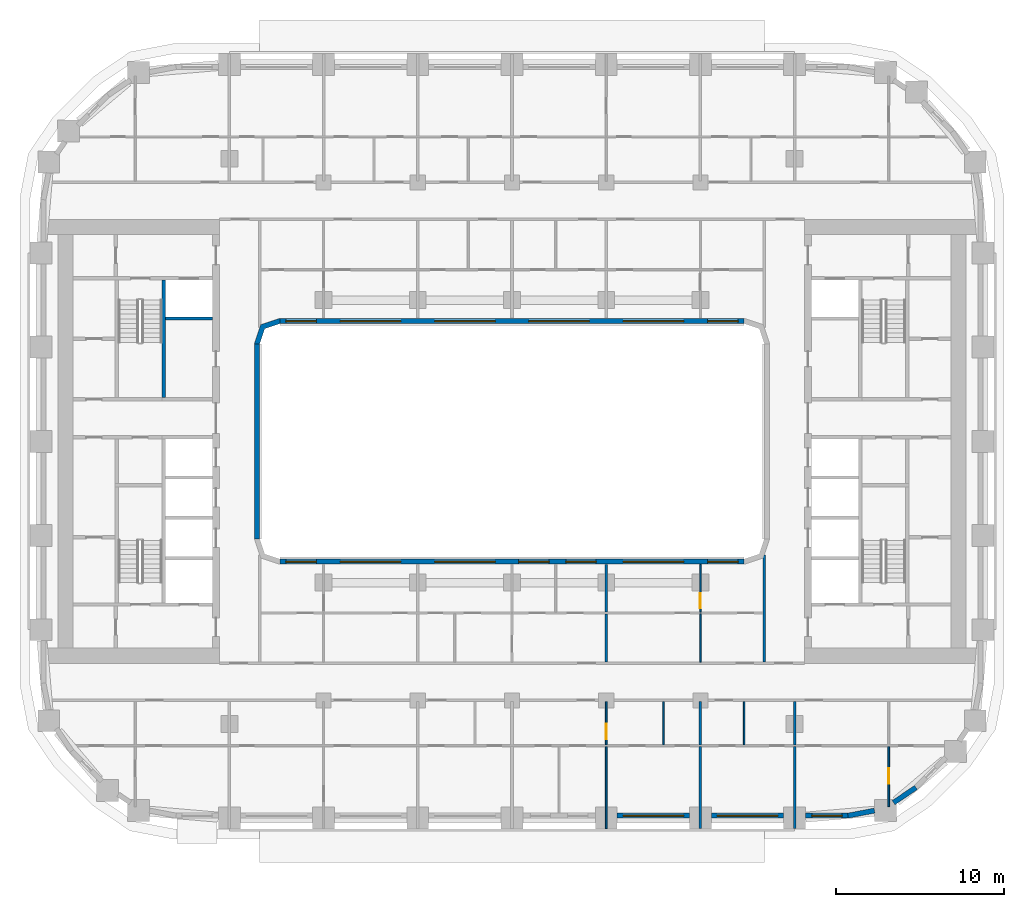
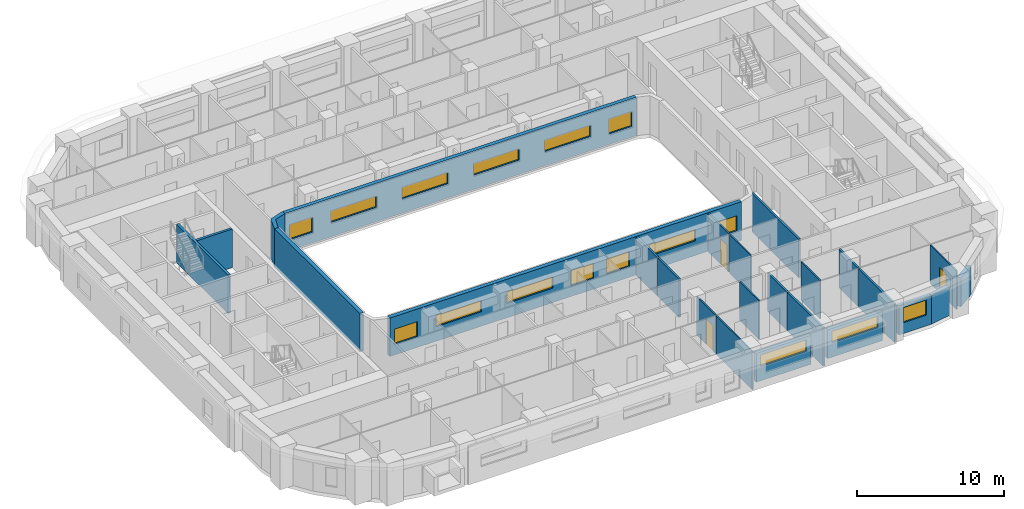
# One storey, part 5 of 21: 25 walls, 16 windows, 3 doors, 19 openings.
"""IFC4 building model written with IfcOpenShell, lengths in metres."""

from ifc_helpers import new_model, si_unit, direction, frame, frame_2d, origin, place, context, subcontext, project, spatial, polyline, rectangle, outline, extrude, material, layer, layer_set, type_object, element, fill, save


model = new_model("IFC4")

# Units and contexts
model_context = context("Model", 3, precision=1e-05, world=origin(), true_north=direction((0.0, 1.0)))
body_context = subcontext(model_context, "Body", "Model", "MODEL_VIEW")
ifc_project = project(units=[si_unit("LENGTHUNIT", "METRE"), si_unit("AREAUNIT", "SQUARE_METRE"), si_unit("VOLUMEUNIT", "CUBIC_METRE"), si_unit("PLANEANGLEUNIT", "RADIAN"), si_unit("MASSUNIT", "GRAM", prefix="KILO")], contexts=[model_context])

# Site, building, storey
site_placement = place(None, origin())
site = spatial("IfcSite", under=ifc_project, at=site_placement, CompositionType="ELEMENT")
building_placement = place(site_placement, origin())
building = spatial("IfcBuilding", under=site, at=building_placement, Name="Kiln Ring Residences", CompositionType="ELEMENT")
storey_placement = place(building_placement, frame((0.0, 0.0, 93.800048828125)))
storey = spatial("IfcBuildingStorey", under=building, at=storey_placement, Name="L23", CompositionType="ELEMENT", Elevation=93.800048828125)

# Walls
ifc_material_1 = material(Name="Gypsum shaft wall system")
ifc_layer_1 = layer(ifc_material_1, 0.199951171875)
ifc_layer_set_1 = layer_set([ifc_layer_1], Name="CORE-SHAFT-WALL-200")
wall_type_1 = type_object("IfcWallType", Name="CORE-SHAFT-WALL-200", PredefinedType="PARTITIONING", material=ifc_layer_set_1)
wall_1_placement = place(storey_placement, frame((-17.800048828125, 7.300048828125, 0.0), z_axis=(0.0, 0.0, 1.0), x_axis=(-1.0, 0.0, 0.0)))
element("IfcWall", 1, at=wall_1_placement, inside=storey, type_object=wall_type_1, Name="Core partition west L23 12", PredefinedType="PARTITIONING", context=body_context, shape_type="SweptSolid", body=[
    extrude(rectangle(XDim=2.800048828125, YDim=0.199951171875, at=frame_2d((1.39990234375, 0.0))), origin(), (0.0, 0.0, 1.0), 3.199951171875),
])
ifc_material_2 = material(Name="Concrete C40/50", Category="concrete")
ifc_layer_2 = layer(ifc_material_2, 0.199951171875)
ifc_layer_set_2 = layer_set([ifc_layer_2], Name="CORE-WALL-RC200")
wall_type_2 = type_object("IfcWallType", Name="CORE-WALL-RC200", PredefinedType="SHEAR", material=ifc_layer_set_2)
wall_2_placement = place(storey_placement, frame((-20.699951171875, 2.60009765625, 0.0), z_axis=(0.0, 0.0, 1.0), x_axis=(0.0, 1.0, 0.0)))
element("IfcWall", 2, at=wall_2_placement, inside=storey, type_object=wall_type_2, Name="Core wall west L23 1", PredefinedType="SHEAR", context=body_context, shape_type="SweptSolid", body=[
    extrude(rectangle(XDim=7.0, YDim=0.199951171875, at=frame_2d((3.5, 0.0))), origin(), (0.0, 0.0, 1.0), 3.199951171875),
])

# Wall, opening, window
ifc_material_3 = material(Name="Brick masonry, dark clay brick", Category="masonry")
ifc_layer_3 = layer(ifc_material_3, 0.300048828125)
ifc_layer_set_3 = layer_set([ifc_layer_3], Name="EW-300 BRICK WALL")
wall_type_3 = type_object("IfcWallType", Name="EW-300 BRICK WALL", PredefinedType="SOLIDWALL", material=ifc_layer_set_3)
wall_3_placement = place(storey_placement, frame((6.25, -22.25, 0.0), z_axis=(0.0, 0.0, 1.0), x_axis=(1.0, 0.0, 0.0)))
wall_3 = element("IfcWall", 3, at=wall_3_placement, inside=storey, type_object=wall_type_3, Name="Facade wall L23 9", PredefinedType="SOLIDWALL", context=body_context, shape_type="SweptSolid", body=[
    extrude(rectangle(XDim=4.300048828125, YDim=0.300048828125, at=frame_2d((2.14990234375, 0.0))), origin(), (0.0, 0.0, 1.0), 2.39990234375),
])
opening_1_placement = place(wall_3_placement, frame((0.35009765625, 0.0, 1.199951171875)))
opening_1 = element("IfcOpeningElement", 4, at=opening_1_placement, cuts=wall_3, Name="Opening W4", PredefinedType="OPENING", context=body_context, shape_type="SweptSolid", body=[
    extrude(rectangle(XDim=3.60009765625, YDim=0.949951171875, at=frame_2d((1.800048828125, 0.47509765625))), frame((0.0, 0.159912109375, 0.0), z_axis=(0.0, -1.0, 0.0), x_axis=(1.0, 0.0, 0.0)), (0.0, 0.0, 1.0), 0.320068359375),
])
ifc_material_4 = material(Name="Aluminium frame with double glazing", Category="aluminium")
window_type_1 = type_object("IfcWindowType", Name="WINDOW 3600 x 950", PartitioningType="SINGLE_PANEL", PredefinedType="WINDOW", material=ifc_material_4)
window_1_placement = place(opening_1_placement, origin())
window_1 = element("IfcWindow", 5, at=window_1_placement, inside=storey, type_object=window_type_1, Name="Window L23 8", OverallHeight=0.949951171875, OverallWidth=3.60009765625, PartitioningType="SINGLE_PANEL", PredefinedType="WINDOW", context=body_context, shape_type="SweptSolid", body=[
    extrude(rectangle(XDim=3.60009765625, YDim=0.949951171875, at=frame_2d((1.800048828125, 0.47509765625))), frame((0.0, 0.030029296875, 0.0), z_axis=(0.0, -1.0, 0.0), x_axis=(1.0, 0.0, 0.0)), (0.0, 0.0, 1.0), 0.06005859375),
])
fill(opening_1, window_1)

wall_4_placement = place(storey_placement, frame((11.85009765625, -22.25, 0.0), z_axis=(0.0, 0.0, 1.0), x_axis=(1.0, 0.0, 0.0)))
wall_4 = element("IfcWall", 6, at=wall_4_placement, inside=storey, type_object=wall_type_3, Name="Facade wall L23 10", PredefinedType="SOLIDWALL", context=body_context, shape_type="SweptSolid", body=[
    extrude(rectangle(XDim=4.2998046875, YDim=0.300048828125, at=frame_2d((2.14990234375, 0.0))), origin(), (0.0, 0.0, 1.0), 2.39990234375),
])
opening_2_placement = place(wall_4_placement, frame((0.35009765625, 0.0, 1.199951171875)))
opening_2 = element("IfcOpeningElement", 7, at=opening_2_placement, cuts=wall_4, Name="Opening W4", PredefinedType="OPENING", context=body_context, shape_type="SweptSolid", body=[
    extrude(rectangle(XDim=3.60009765625, YDim=0.949951171875, at=frame_2d((1.800048828125, 0.47509765625))), frame((0.0, 0.159912109375, 0.0), z_axis=(0.0, -1.0, 0.0), x_axis=(1.0, 0.0, 0.0)), (0.0, 0.0, 1.0), 0.320068359375),
])
window_2_placement = place(opening_2_placement, origin())
window_2 = element("IfcWindow", 8, at=window_2_placement, inside=storey, type_object=window_type_1, Name="Window L23 9", OverallHeight=0.949951171875, OverallWidth=3.60009765625, PartitioningType="SINGLE_PANEL", PredefinedType="WINDOW", context=body_context, shape_type="SweptSolid", body=[
    extrude(rectangle(XDim=3.60009765625, YDim=0.949951171875, at=frame_2d((1.800048828125, 0.47509765625))), frame((0.0, 0.030029296875, 0.0), z_axis=(0.0, -1.0, 0.0), x_axis=(1.0, 0.0, 0.0)), (0.0, 0.0, 1.0), 0.06005859375),
])
fill(opening_2, window_2)

wall_5_placement = place(storey_placement, frame((17.449951171875, -22.25, 0.0), z_axis=(0.0, 0.0, 1.0), x_axis=(1.0, 0.0, 0.0)))
wall_5 = element("IfcWall", 9, at=wall_5_placement, inside=storey, type_object=wall_type_3, Name="Facade wall L23 11", PredefinedType="SOLIDWALL", context=body_context, shape_type="SweptSolid", body=[
    extrude(rectangle(XDim=2.550048828125, YDim=0.300048828125, at=frame_2d((1.27490234375, 0.0))), origin(), (0.0, 0.0, 1.0), 2.39990234375),
])
opening_3_placement = place(wall_5_placement, frame((0.375, 0.0, 0.89990234375)))
opening_3 = element("IfcOpeningElement", 10, at=opening_3_placement, cuts=wall_5, Name="Opening W2", PredefinedType="OPENING", context=body_context, shape_type="SweptSolid", body=[
    extrude(rectangle(XDim=1.800048828125, YDim=1.25, at=frame_2d((0.89990234375, 0.625))), frame((0.0, 0.159912109375, 0.0), z_axis=(0.0, -1.0, 0.0), x_axis=(1.0, 0.0, 0.0)), (0.0, 0.0, 1.0), 0.320068359375),
])
ifc_material_5 = material(Name="Aluminium frame with double glazing", Category="aluminium")
window_type_2 = type_object("IfcWindowType", Name="WINDOW 1800 x 1250", PartitioningType="SINGLE_PANEL", PredefinedType="WINDOW", material=ifc_material_5)
window_3_placement = place(opening_3_placement, origin())
window_3 = element("IfcWindow", 11, at=window_3_placement, inside=storey, type_object=window_type_2, Name="Window L23 10", OverallHeight=1.25, OverallWidth=1.800048828125, PartitioningType="SINGLE_PANEL", PredefinedType="WINDOW", context=body_context, shape_type="SweptSolid", body=[
    extrude(rectangle(XDim=1.800048828125, YDim=1.25, at=frame_2d((0.89990234375, 0.625))), frame((0.0, 0.030029296875, 0.0), z_axis=(0.0, -1.0, 0.0), x_axis=(1.0, 0.0, 0.0)), (0.0, 0.0, 1.0), 0.06005859375),
])
fill(opening_3, window_3)

# Walls
for number, where, z_axis, x_axis, name in (
    (12, (19.971923828125, -22.252685546875, 0.0), (0.0, 0.0, 1.0), (0.982278644094, 0.187426426519, 0.0), "Facade wall L23 12"),
    (13, (22.684326171875, -21.481689453125, 0.0), (0.0, 0.0, 1.0), (0.82705935865, 0.562114594429, 0.0), "Facade wall L23 13"),
):
    element("IfcWall", number, at=place(storey_placement, frame(where, z_axis=z_axis, x_axis=x_axis)), inside=storey, type_object=wall_type_3, Name=name, PredefinedType="SOLIDWALL", context=body_context, shape_type="SweptSolid", body=[
        extrude(rectangle(XDim=1.606201171875, YDim=0.300048828125, at=frame_2d((0.80322265625, 0.0))), origin(), (0.0, 0.0, 1.0), 2.39990234375),
    ])
wall_6_placement = place(storey_placement, frame((-15.14990234375, -5.800048828125, 0.0), z_axis=(0.0, 0.0, 1.0), x_axis=(0.0, 1.0, 0.0)))
element("IfcWall", 14, at=wall_6_placement, inside=storey, type_object=wall_type_3, Name="Facade wall L23 49", PredefinedType="SOLIDWALL", context=body_context, shape_type="SweptSolid", body=[
    extrude(rectangle(XDim=11.60009765625, YDim=0.300048828125, at=frame_2d((5.800048828125, 0.0))), origin(), (0.0, 0.0, 1.0), 3.199951171875),
])

# Wall, openings, windows
wall_7_placement = place(storey_placement, frame((-13.800048828125, 7.14990234375, 0.0), z_axis=(0.0, 0.0, 1.0), x_axis=(1.0, 0.0, 0.0)))
wall_7 = element("IfcWall", 15, at=wall_7_placement, inside=storey, type_object=wall_type_3, Name="Facade wall L23 50", PredefinedType="SOLIDWALL", context=body_context, shape_type="SweptSolid", body=[
    extrude(rectangle(XDim=27.60009765625, YDim=0.300048828125, at=frame_2d((13.800048828125, 0.0))), origin(), (0.0, 0.0, 1.0), 3.199951171875),
])
opening_4_placement = place(wall_7_placement, frame((0.362548828125, 0.0, 0.89990234375)))
opening_4 = element("IfcOpeningElement", 16, at=opening_4_placement, cuts=wall_7, Name="Opening W2", PredefinedType="OPENING", context=body_context, shape_type="SweptSolid", body=[
    extrude(rectangle(XDim=1.800048828125, YDim=1.25, at=frame_2d((0.89990234375, 0.625))), frame((0.0, 0.159912109375, 0.0), z_axis=(0.0, -1.0, 0.0), x_axis=(1.0, 0.0, 0.0)), (0.0, 0.0, 1.0), 0.320068359375),
])
opening_5_placement = place(wall_7_placement, frame((3.60009765625, 0.0, 1.199951171875)))
opening_5 = element("IfcOpeningElement", 17, at=opening_5_placement, cuts=wall_7, Name="Opening W4", PredefinedType="OPENING", context=body_context, shape_type="SweptSolid", body=[
    extrude(rectangle(XDim=3.60009765625, YDim=0.949951171875, at=frame_2d((1.800048828125, 0.47509765625))), frame((0.0, 0.159912109375, 0.0), z_axis=(0.0, -1.0, 0.0), x_axis=(1.0, 0.0, 0.0)), (0.0, 0.0, 1.0), 0.320068359375),
])
opening_6_placement = place(wall_7_placement, frame((9.199951171875, 0.0, 1.199951171875)))
opening_6 = element("IfcOpeningElement", 18, at=opening_6_placement, cuts=wall_7, Name="Opening W4", PredefinedType="OPENING", context=body_context, shape_type="SweptSolid", body=[
    extrude(rectangle(XDim=3.60009765625, YDim=0.949951171875, at=frame_2d((1.800048828125, 0.47509765625))), frame((0.0, 0.159912109375, 0.0), z_axis=(0.0, -1.0, 0.0), x_axis=(1.0, 0.0, 0.0)), (0.0, 0.0, 1.0), 0.320068359375),
])
opening_7_placement = place(wall_7_placement, frame((14.800048828125, 0.0, 1.199951171875)))
opening_7 = element("IfcOpeningElement", 19, at=opening_7_placement, cuts=wall_7, Name="Opening W4", PredefinedType="OPENING", context=body_context, shape_type="SweptSolid", body=[
    extrude(rectangle(XDim=3.60009765625, YDim=0.949951171875, at=frame_2d((1.800048828125, 0.47509765625))), frame((0.0, 0.159912109375, 0.0), z_axis=(0.0, -1.0, 0.0), x_axis=(1.0, 0.0, 0.0)), (0.0, 0.0, 1.0), 0.320068359375),
])
opening_8_placement = place(wall_7_placement, frame((20.39990234375, 0.0, 1.199951171875)))
opening_8 = element("IfcOpeningElement", 20, at=opening_8_placement, cuts=wall_7, Name="Opening W4", PredefinedType="OPENING", context=body_context, shape_type="SweptSolid", body=[
    extrude(rectangle(XDim=3.60009765625, YDim=0.949951171875, at=frame_2d((1.800048828125, 0.47509765625))), frame((0.0, 0.159912109375, 0.0), z_axis=(0.0, -1.0, 0.0), x_axis=(1.0, 0.0, 0.0)), (0.0, 0.0, 1.0), 0.320068359375),
])
opening_9_placement = place(wall_7_placement, frame((25.4375, 0.0, 0.89990234375)))
opening_9 = element("IfcOpeningElement", 21, at=opening_9_placement, cuts=wall_7, Name="Opening W2", PredefinedType="OPENING", context=body_context, shape_type="SweptSolid", body=[
    extrude(rectangle(XDim=1.800048828125, YDim=1.25, at=frame_2d((0.89990234375, 0.625))), frame((0.0, 0.159912109375, 0.0), z_axis=(0.0, -1.0, 0.0), x_axis=(1.0, 0.0, 0.0)), (0.0, 0.0, 1.0), 0.320068359375),
])
window_4_placement = place(opening_4_placement, origin())
window_4 = element("IfcWindow", 22, at=window_4_placement, inside=storey, type_object=window_type_2, Name="Window L23 22", OverallHeight=1.25, OverallWidth=1.800048828125, PartitioningType="SINGLE_PANEL", PredefinedType="WINDOW", context=body_context, shape_type="SweptSolid", body=[
    extrude(rectangle(XDim=1.800048828125, YDim=1.25, at=frame_2d((0.89990234375, 0.625))), frame((0.0, 0.030029296875, 0.0), z_axis=(0.0, -1.0, 0.0), x_axis=(1.0, 0.0, 0.0)), (0.0, 0.0, 1.0), 0.06005859375),
])
fill(opening_4, window_4)
window_5_placement = place(opening_9_placement, origin())
window_5 = element("IfcWindow", 23, at=window_5_placement, inside=storey, type_object=window_type_2, Name="Window L23 27", OverallHeight=1.25, OverallWidth=1.800048828125, PartitioningType="SINGLE_PANEL", PredefinedType="WINDOW", context=body_context, shape_type="SweptSolid", body=[
    extrude(rectangle(XDim=1.800048828125, YDim=1.25, at=frame_2d((0.89990234375, 0.625))), frame((0.0, 0.030029296875, 0.0), z_axis=(0.0, -1.0, 0.0), x_axis=(1.0, 0.0, 0.0)), (0.0, 0.0, 1.0), 0.06005859375),
])
fill(opening_9, window_5)
window_6_placement = place(opening_5_placement, origin())
window_6 = element("IfcWindow", 24, at=window_6_placement, inside=storey, type_object=window_type_1, Name="Window L23 23", OverallHeight=0.949951171875, OverallWidth=3.60009765625, PartitioningType="SINGLE_PANEL", PredefinedType="WINDOW", context=body_context, shape_type="SweptSolid", body=[
    extrude(rectangle(XDim=3.60009765625, YDim=0.949951171875, at=frame_2d((1.800048828125, 0.47509765625))), frame((0.0, 0.030029296875, 0.0), z_axis=(0.0, -1.0, 0.0), x_axis=(1.0, 0.0, 0.0)), (0.0, 0.0, 1.0), 0.06005859375),
])
fill(opening_5, window_6)
window_7_placement = place(opening_6_placement, origin())
window_7 = element("IfcWindow", 25, at=window_7_placement, inside=storey, type_object=window_type_1, Name="Window L23 24", OverallHeight=0.949951171875, OverallWidth=3.60009765625, PartitioningType="SINGLE_PANEL", PredefinedType="WINDOW", context=body_context, shape_type="SweptSolid", body=[
    extrude(rectangle(XDim=3.60009765625, YDim=0.949951171875, at=frame_2d((1.800048828125, 0.47509765625))), frame((0.0, 0.030029296875, 0.0), z_axis=(0.0, -1.0, 0.0), x_axis=(1.0, 0.0, 0.0)), (0.0, 0.0, 1.0), 0.06005859375),
])
fill(opening_6, window_7)
window_8_placement = place(opening_7_placement, origin())
window_8 = element("IfcWindow", 26, at=window_8_placement, inside=storey, type_object=window_type_1, Name="Window L23 25", OverallHeight=0.949951171875, OverallWidth=3.60009765625, PartitioningType="SINGLE_PANEL", PredefinedType="WINDOW", context=body_context, shape_type="SweptSolid", body=[
    extrude(rectangle(XDim=3.60009765625, YDim=0.949951171875, at=frame_2d((1.800048828125, 0.47509765625))), frame((0.0, 0.030029296875, 0.0), z_axis=(0.0, -1.0, 0.0), x_axis=(1.0, 0.0, 0.0)), (0.0, 0.0, 1.0), 0.06005859375),
])
fill(opening_7, window_8)
window_9_placement = place(opening_8_placement, origin())
window_9 = element("IfcWindow", 27, at=window_9_placement, inside=storey, type_object=window_type_1, Name="Window L23 26", OverallHeight=0.949951171875, OverallWidth=3.60009765625, PartitioningType="SINGLE_PANEL", PredefinedType="WINDOW", context=body_context, shape_type="SweptSolid", body=[
    extrude(rectangle(XDim=3.60009765625, YDim=0.949951171875, at=frame_2d((1.800048828125, 0.47509765625))), frame((0.0, 0.030029296875, 0.0), z_axis=(0.0, -1.0, 0.0), x_axis=(1.0, 0.0, 0.0)), (0.0, 0.0, 1.0), 0.06005859375),
])
fill(opening_8, window_9)

wall_8_placement = place(storey_placement, frame((13.800048828125, -7.14990234375, 0.0), z_axis=(0.0, 0.0, 1.0), x_axis=(-1.0, 0.0, 0.0)))
wall_8 = element("IfcWall", 28, at=wall_8_placement, inside=storey, type_object=wall_type_3, Name="Facade wall L23 52", PredefinedType="SOLIDWALL", context=body_context, shape_type="SweptSolid", body=[
    extrude(rectangle(XDim=27.60009765625, YDim=0.300048828125, at=frame_2d((13.800048828125, 0.0))), origin(), (0.0, 0.0, 1.0), 3.199951171875),
])
opening_10_placement = place(wall_8_placement, frame((0.362548828125, 0.0, 0.89990234375)))
opening_10 = element("IfcOpeningElement", 29, at=opening_10_placement, cuts=wall_8, Name="Opening W2", PredefinedType="OPENING", context=body_context, shape_type="SweptSolid", body=[
    extrude(rectangle(XDim=1.800048828125, YDim=1.25, at=frame_2d((0.89990234375, 0.625))), frame((0.0, 0.159912109375, 0.0), z_axis=(0.0, -1.0, 0.0), x_axis=(1.0, 0.0, 0.0)), (0.0, 0.0, 1.0), 0.320068359375),
])
opening_11_placement = place(wall_8_placement, frame((3.60009765625, 0.0, 1.199951171875)))
opening_11 = element("IfcOpeningElement", 30, at=opening_11_placement, cuts=wall_8, Name="Opening W4", PredefinedType="OPENING", context=body_context, shape_type="SweptSolid", body=[
    extrude(rectangle(XDim=3.60009765625, YDim=0.949951171875, at=frame_2d((1.800048828125, 0.47509765625))), frame((0.0, 0.159912109375, 0.0), z_axis=(0.0, -1.0, 0.0), x_axis=(1.0, 0.0, 0.0)), (0.0, 0.0, 1.0), 0.320068359375),
])
opening_12_placement = place(wall_8_placement, frame((8.800048828125, 0.0, 0.89990234375)))
opening_12 = element("IfcOpeningElement", 31, at=opening_12_placement, cuts=wall_8, Name="Opening W2", PredefinedType="OPENING", context=body_context, shape_type="SweptSolid", body=[
    extrude(rectangle(XDim=1.800048828125, YDim=1.25, at=frame_2d((0.89990234375, 0.625))), frame((0.0, 0.159912109375, 0.0), z_axis=(0.0, -1.0, 0.0), x_axis=(1.0, 0.0, 0.0)), (0.0, 0.0, 1.0), 0.320068359375),
])
opening_13_placement = place(wall_8_placement, frame((11.60009765625, 0.0, 0.89990234375)))
opening_13 = element("IfcOpeningElement", 32, at=opening_13_placement, cuts=wall_8, Name="Opening W2", PredefinedType="OPENING", context=body_context, shape_type="SweptSolid", body=[
    extrude(rectangle(XDim=1.800048828125, YDim=1.25, at=frame_2d((0.89990234375, 0.625))), frame((0.0, 0.159912109375, 0.0), z_axis=(0.0, -1.0, 0.0), x_axis=(1.0, 0.0, 0.0)), (0.0, 0.0, 1.0), 0.320068359375),
])
opening_14_placement = place(wall_8_placement, frame((14.800048828125, 0.0, 1.199951171875)))
opening_14 = element("IfcOpeningElement", 33, at=opening_14_placement, cuts=wall_8, Name="Opening W4", PredefinedType="OPENING", context=body_context, shape_type="SweptSolid", body=[
    extrude(rectangle(XDim=3.60009765625, YDim=0.949951171875, at=frame_2d((1.800048828125, 0.47509765625))), frame((0.0, 0.159912109375, 0.0), z_axis=(0.0, -1.0, 0.0), x_axis=(1.0, 0.0, 0.0)), (0.0, 0.0, 1.0), 0.320068359375),
])
opening_15_placement = place(wall_8_placement, frame((20.39990234375, 0.0, 1.199951171875)))
opening_15 = element("IfcOpeningElement", 34, at=opening_15_placement, cuts=wall_8, Name="Opening W4", PredefinedType="OPENING", context=body_context, shape_type="SweptSolid", body=[
    extrude(rectangle(XDim=3.60009765625, YDim=0.949951171875, at=frame_2d((1.800048828125, 0.47509765625))), frame((0.0, 0.159912109375, 0.0), z_axis=(0.0, -1.0, 0.0), x_axis=(1.0, 0.0, 0.0)), (0.0, 0.0, 1.0), 0.320068359375),
])
opening_16_placement = place(wall_8_placement, frame((25.4375, 0.0, 0.89990234375)))
opening_16 = element("IfcOpeningElement", 35, at=opening_16_placement, cuts=wall_8, Name="Opening W2", PredefinedType="OPENING", context=body_context, shape_type="SweptSolid", body=[
    extrude(rectangle(XDim=1.800048828125, YDim=1.25, at=frame_2d((0.89990234375, 0.625))), frame((0.0, 0.159912109375, 0.0), z_axis=(0.0, -1.0, 0.0), x_axis=(1.0, 0.0, 0.0)), (0.0, 0.0, 1.0), 0.320068359375),
])
window_10_placement = place(opening_10_placement, origin())
window_10 = element("IfcWindow", 36, at=window_10_placement, inside=storey, type_object=window_type_2, Name="Window L23 28", OverallHeight=1.25, OverallWidth=1.800048828125, PartitioningType="SINGLE_PANEL", PredefinedType="WINDOW", context=body_context, shape_type="SweptSolid", body=[
    extrude(rectangle(XDim=1.800048828125, YDim=1.25, at=frame_2d((0.89990234375, 0.625))), frame((0.0, 0.030029296875, 0.0), z_axis=(0.0, -1.0, 0.0), x_axis=(1.0, 0.0, 0.0)), (0.0, 0.0, 1.0), 0.06005859375),
])
fill(opening_10, window_10)
window_11_placement = place(opening_12_placement, origin())
window_11 = element("IfcWindow", 37, at=window_11_placement, inside=storey, type_object=window_type_2, Name="Window L23 30", OverallHeight=1.25, OverallWidth=1.800048828125, PartitioningType="SINGLE_PANEL", PredefinedType="WINDOW", context=body_context, shape_type="SweptSolid", body=[
    extrude(rectangle(XDim=1.800048828125, YDim=1.25, at=frame_2d((0.89990234375, 0.625))), frame((0.0, 0.030029296875, 0.0), z_axis=(0.0, -1.0, 0.0), x_axis=(1.0, 0.0, 0.0)), (0.0, 0.0, 1.0), 0.06005859375),
])
fill(opening_12, window_11)
window_12_placement = place(opening_13_placement, origin())
window_12 = element("IfcWindow", 38, at=window_12_placement, inside=storey, type_object=window_type_2, Name="Window L23 31", OverallHeight=1.25, OverallWidth=1.800048828125, PartitioningType="SINGLE_PANEL", PredefinedType="WINDOW", context=body_context, shape_type="SweptSolid", body=[
    extrude(rectangle(XDim=1.800048828125, YDim=1.25, at=frame_2d((0.89990234375, 0.625))), frame((0.0, 0.030029296875, 0.0), z_axis=(0.0, -1.0, 0.0), x_axis=(1.0, 0.0, 0.0)), (0.0, 0.0, 1.0), 0.06005859375),
])
fill(opening_13, window_12)
window_13_placement = place(opening_16_placement, origin())
window_13 = element("IfcWindow", 39, at=window_13_placement, inside=storey, type_object=window_type_2, Name="Window L23 34", OverallHeight=1.25, OverallWidth=1.800048828125, PartitioningType="SINGLE_PANEL", PredefinedType="WINDOW", context=body_context, shape_type="SweptSolid", body=[
    extrude(rectangle(XDim=1.800048828125, YDim=1.25, at=frame_2d((0.89990234375, 0.625))), frame((0.0, 0.030029296875, 0.0), z_axis=(0.0, -1.0, 0.0), x_axis=(1.0, 0.0, 0.0)), (0.0, 0.0, 1.0), 0.06005859375),
])
fill(opening_16, window_13)
window_14_placement = place(opening_11_placement, origin())
window_14 = element("IfcWindow", 40, at=window_14_placement, inside=storey, type_object=window_type_1, Name="Window L23 29", OverallHeight=0.949951171875, OverallWidth=3.60009765625, PartitioningType="SINGLE_PANEL", PredefinedType="WINDOW", context=body_context, shape_type="SweptSolid", body=[
    extrude(rectangle(XDim=3.60009765625, YDim=0.949951171875, at=frame_2d((1.800048828125, 0.47509765625))), frame((0.0, 0.030029296875, 0.0), z_axis=(0.0, -1.0, 0.0), x_axis=(1.0, 0.0, 0.0)), (0.0, 0.0, 1.0), 0.06005859375),
])
fill(opening_11, window_14)
window_15_placement = place(opening_14_placement, origin())
window_15 = element("IfcWindow", 41, at=window_15_placement, inside=storey, type_object=window_type_1, Name="Window L23 32", OverallHeight=0.949951171875, OverallWidth=3.60009765625, PartitioningType="SINGLE_PANEL", PredefinedType="WINDOW", context=body_context, shape_type="SweptSolid", body=[
    extrude(rectangle(XDim=3.60009765625, YDim=0.949951171875, at=frame_2d((1.800048828125, 0.47509765625))), frame((0.0, 0.030029296875, 0.0), z_axis=(0.0, -1.0, 0.0), x_axis=(1.0, 0.0, 0.0)), (0.0, 0.0, 1.0), 0.06005859375),
])
fill(opening_14, window_15)
window_16_placement = place(opening_15_placement, origin())
window_16 = element("IfcWindow", 42, at=window_16_placement, inside=storey, type_object=window_type_1, Name="Window L23 33", OverallHeight=0.949951171875, OverallWidth=3.60009765625, PartitioningType="SINGLE_PANEL", PredefinedType="WINDOW", context=body_context, shape_type="SweptSolid", body=[
    extrude(rectangle(XDim=3.60009765625, YDim=0.949951171875, at=frame_2d((1.800048828125, 0.47509765625))), frame((0.0, 0.030029296875, 0.0), z_axis=(0.0, -1.0, 0.0), x_axis=(1.0, 0.0, 0.0)), (0.0, 0.0, 1.0), 0.06005859375),
])
fill(opening_15, window_16)

# Walls
wall_9_placement = place(storey_placement, origin())
element("IfcWall", 43, at=wall_9_placement, inside=storey, type_object=wall_type_3, Name="Corner wall L23 1", PredefinedType="SOLIDWALL", context=body_context, shape_type="SweptSolid", body=[
    extrude(outline(polyline([(-13.8486328125, 7.300048828125), (-14.937255859375, 6.937255859375), (-15.300048828125, 5.8486328125), (-15.300048828125, 5.800048828125), (-15.0, 5.800048828125), (-14.699951171875, 6.699951171875), (-13.800048828125, 7.0), (-13.800048828125, 7.300048828125), (-13.8486328125, 7.300048828125)])), origin(), (0.0, 0.0, 1.0), 3.199951171875),
])
ifc_material_6 = material(Name="Gypsum board on steel studs", Category="steel")
ifc_layer_4 = layer(ifc_material_6, 0.10009765625)
ifc_layer_set_4 = layer_set([ifc_layer_4], Name="PARTITION-100")
wall_type_4 = type_object("IfcWallType", Name="PARTITION-100", PredefinedType="PARTITIONING", material=ifc_layer_set_4)
wall_10_placement = place(storey_placement, frame((5.60009765625, -23.030029296875, 0.0), z_axis=(0.0, 0.0, 1.0), x_axis=(0.0, 1.0, 0.0)))
element("IfcWall", 44, at=wall_10_placement, inside=storey, type_object=wall_type_4, Name="Partition 051", PredefinedType="PARTITIONING", context=body_context, shape_type="SweptSolid", body=[
    extrude(rectangle(XDim=4.880126953125, YDim=0.10009765625, at=frame_2d((2.43994140625, 0.0))), origin(), (0.0, 0.0, 1.0), 3.199951171875),
])

# Wall, opening, door
wall_11_placement = place(storey_placement, frame((5.60009765625, -18.050048828125, 0.0), z_axis=(0.0, 0.0, 1.0), x_axis=(0.0, 1.0, 0.0)))
wall_11 = element("IfcWall", 45, at=wall_11_placement, inside=storey, type_object=wall_type_4, Name="Partition 052", PredefinedType="PARTITIONING", context=body_context, shape_type="SweptSolid", body=[
    extrude(rectangle(XDim=2.574951171875, YDim=0.10009765625, at=frame_2d((1.28759765625, 0.0))), origin(), (0.0, 0.0, 1.0), 3.199951171875),
])
opening_17_placement = place(wall_11_placement, frame((0.35009765625, 0.0, 0.0)))
opening_17 = element("IfcOpeningElement", 46, at=opening_17_placement, cuts=wall_11, Name="Opening L23-D069", PredefinedType="OPENING", context=body_context, shape_type="SweptSolid", body=[
    extrude(rectangle(XDim=0.89990234375, YDim=2.10009765625, at=frame_2d((0.449951171875, 1.050048828125))), frame((0.0, 0.06005859375, 0.0), z_axis=(0.0, -1.0, 0.0), x_axis=(1.0, 0.0, 0.0)), (0.0, 0.0, 1.0), 0.1201171875),
])
ifc_material_7 = material(Name="Timber door leaf", Category="wood")
door_type = type_object("IfcDoorType", Name="FLAT-DOOR-900-PL", OperationType="SINGLE_SWING_LEFT", PredefinedType="DOOR", material=ifc_material_7)
door_1_placement = place(opening_17_placement, origin())
door_1 = element("IfcDoor", 47, at=door_1_placement, inside=storey, type_object=door_type, Name="Door L23-D069", OperationType="SINGLE_SWING_LEFT", OverallHeight=2.10009765625, OverallWidth=0.89990234375, PredefinedType="DOOR", context=body_context, shape_type="SweptSolid", body=[
    extrude(rectangle(XDim=0.89990234375, YDim=2.10009765625, at=frame_2d((0.449951171875, 1.050048828125))), frame((0.0, 0.02490234375, 0.0), z_axis=(0.0, -1.0, 0.0), x_axis=(1.0, 0.0, 0.0)), (0.0, 0.0, 1.0), 0.050048828125),
])
fill(opening_17, door_1)

# Walls
wall_12_placement = place(storey_placement, frame((9.0, -18.050048828125, 0.0), z_axis=(0.0, 0.0, 1.0), x_axis=(0.0, 1.0, 0.0)))
element("IfcWall", 48, at=wall_12_placement, inside=storey, type_object=wall_type_4, Name="Partition 059", PredefinedType="PARTITIONING", context=body_context, shape_type="SweptSolid", body=[
    extrude(rectangle(XDim=2.574951171875, YDim=0.10009765625, at=frame_2d((1.28759765625, 0.0))), origin(), (0.0, 0.0, 1.0), 3.199951171875),
])
wall_13_placement = place(storey_placement, frame((11.199951171875, -13.125, 0.0), z_axis=(0.0, 0.0, 1.0), x_axis=(0.0, 1.0, 0.0)))
element("IfcWall", 49, at=wall_13_placement, inside=storey, type_object=wall_type_4, Name="Partition 060", PredefinedType="PARTITIONING", context=body_context, shape_type="SweptSolid", body=[
    extrude(rectangle(XDim=2.875, YDim=0.10009765625, at=frame_2d((1.4375, 0.0))), origin(), (0.0, 0.0, 1.0), 3.199951171875),
])

# Wall, opening, door
wall_14_placement = place(storey_placement, frame((11.199951171875, -10.14990234375, 0.0), z_axis=(0.0, 0.0, 1.0), x_axis=(0.0, 1.0, 0.0)))
wall_14 = element("IfcWall", 50, at=wall_14_placement, inside=storey, type_object=wall_type_4, Name="Partition 061", PredefinedType="PARTITIONING", context=body_context, shape_type="SweptSolid", body=[
    extrude(rectangle(XDim=2.829833984375, YDim=0.10009765625, at=frame_2d((1.4150390625, 0.0))), origin(), (0.0, 0.0, 1.0), 3.199951171875),
])
opening_18_placement = place(wall_14_placement, frame((0.22998046875, 0.0, 0.0)))
opening_18 = element("IfcOpeningElement", 51, at=opening_18_placement, cuts=wall_14, Name="Opening L23-D056", PredefinedType="OPENING", context=body_context, shape_type="SweptSolid", body=[
    extrude(rectangle(XDim=0.89990234375, YDim=2.10009765625, at=frame_2d((0.449951171875, 1.050048828125))), frame((0.0, 0.06005859375, 0.0), z_axis=(0.0, -1.0, 0.0), x_axis=(1.0, 0.0, 0.0)), (0.0, 0.0, 1.0), 0.1201171875),
])
door_2_placement = place(opening_18_placement, origin())
door_2 = element("IfcDoor", 52, at=door_2_placement, inside=storey, type_object=door_type, Name="Door L23-D056", OperationType="SINGLE_SWING_RIGHT", OverallHeight=2.10009765625, OverallWidth=0.89990234375, PredefinedType="DOOR", context=body_context, shape_type="SweptSolid", body=[
    extrude(rectangle(XDim=0.89990234375, YDim=2.10009765625, at=frame_2d((0.449951171875, 1.050048828125))), frame((0.0, 0.02490234375, 0.0), z_axis=(0.0, -1.0, 0.0), x_axis=(1.0, 0.0, 0.0)), (0.0, 0.0, 1.0), 0.050048828125),
])
fill(opening_18, door_2)

# Wall
wall_15_placement = place(storey_placement, frame((13.800048828125, -18.050048828125, 0.0), z_axis=(0.0, 0.0, 1.0), x_axis=(0.0, 1.0, 0.0)))
element("IfcWall", 53, at=wall_15_placement, inside=storey, type_object=wall_type_4, Name="Partition 068", PredefinedType="PARTITIONING", context=body_context, shape_type="SweptSolid", body=[
    extrude(rectangle(XDim=2.574951171875, YDim=0.10009765625, at=frame_2d((1.28759765625, 0.0))), origin(), (0.0, 0.0, 1.0), 3.199951171875),
])

# Wall, opening, door
wall_16_placement = place(storey_placement, frame((22.39990234375, -21.719970703125, 0.0), z_axis=(0.0, 0.0, 1.0), x_axis=(0.0, 1.0, 0.0)))
wall_16 = element("IfcWall", 54, at=wall_16_placement, inside=storey, type_object=wall_type_4, Name="Partition 076", PredefinedType="PARTITIONING", context=body_context, shape_type="SweptSolid", body=[
    extrude(rectangle(XDim=3.570068359375, YDim=0.10009765625, at=frame_2d((1.78515625, 0.0))), origin(), (0.0, 0.0, 1.0), 3.199951171875),
])
opening_19_placement = place(wall_16_placement, frame((1.3720703125, 0.0, 0.0)))
opening_19 = element("IfcOpeningElement", 55, at=opening_19_placement, cuts=wall_16, Name="Opening L23-D080", PredefinedType="OPENING", context=body_context, shape_type="SweptSolid", body=[
    extrude(rectangle(XDim=0.89990234375, YDim=2.10009765625, at=frame_2d((0.449951171875, 1.050048828125))), frame((0.0, 0.06005859375, 0.0), z_axis=(0.0, -1.0, 0.0), x_axis=(1.0, 0.0, 0.0)), (0.0, 0.0, 1.0), 0.1201171875),
])
door_3_placement = place(opening_19_placement, origin())
door_3 = element("IfcDoor", 56, at=door_3_placement, inside=storey, type_object=door_type, Name="Door L23-D080", OperationType="SINGLE_SWING_RIGHT", OverallHeight=2.10009765625, OverallWidth=0.89990234375, PredefinedType="DOOR", context=body_context, shape_type="SweptSolid", body=[
    extrude(rectangle(XDim=0.89990234375, YDim=2.10009765625, at=frame_2d((0.449951171875, 1.050048828125))), frame((0.0, 0.02490234375, 0.0), z_axis=(0.0, -1.0, 0.0), x_axis=(1.0, 0.0, 0.0)), (0.0, 0.0, 1.0), 0.050048828125),
])
fill(opening_19, door_3)

# Walls
ifc_material_8 = material(Name="Brick masonry partition", Category="masonry")
ifc_layer_5 = layer(ifc_material_8, 0.14990234375)
ifc_layer_set_5 = layer_set([ifc_layer_5], Name="PARTITION-150-ei60")
wall_type_5 = type_object("IfcWallType", Name="PARTITION-150-ei60", PredefinedType="PARTITIONING", material=ifc_layer_set_5)
wall_17_placement = place(storey_placement, frame((5.60009765625, -13.125, 0.0), z_axis=(0.0, 0.0, 1.0), x_axis=(0.0, 1.0, 0.0)))
element("IfcWall", 57, at=wall_17_placement, inside=storey, type_object=wall_type_5, Name="Partition 055", PredefinedType="PARTITIONING", context=body_context, shape_type="SweptSolid", body=[
    extrude(rectangle(XDim=2.875, YDim=0.14990234375, at=frame_2d((1.4375, 0.0))), origin(), (0.0, 0.0, 1.0), 3.199951171875),
])
wall_18_placement = place(storey_placement, frame((5.60009765625, -10.14990234375, 0.0), z_axis=(0.0, 0.0, 1.0), x_axis=(0.0, 1.0, 0.0)))
element("IfcWall", 58, at=wall_18_placement, inside=storey, type_object=wall_type_5, Name="Partition 056", PredefinedType="PARTITIONING", context=body_context, shape_type="SweptSolid", body=[
    extrude(rectangle(XDim=2.829833984375, YDim=0.14990234375, at=frame_2d((1.4150390625, 0.0))), origin(), (0.0, 0.0, 1.0), 3.199951171875),
])
wall_19_placement = place(storey_placement, frame((11.199951171875, -23.030029296875, 0.0), z_axis=(0.0, 0.0, 1.0), x_axis=(0.0, 1.0, 0.0)))
element("IfcWall", 59, at=wall_19_placement, inside=storey, type_object=wall_type_5, Name="Partition 064", PredefinedType="PARTITIONING", context=body_context, shape_type="SweptSolid", body=[
    extrude(rectangle(XDim=4.880126953125, YDim=0.14990234375, at=frame_2d((2.43994140625, 0.0))), origin(), (0.0, 0.0, 1.0), 3.199951171875),
])
wall_20_placement = place(storey_placement, frame((11.199951171875, -18.050048828125, 0.0), z_axis=(0.0, 0.0, 1.0), x_axis=(0.0, 1.0, 0.0)))
element("IfcWall", 60, at=wall_20_placement, inside=storey, type_object=wall_type_5, Name="Partition 065", PredefinedType="PARTITIONING", context=body_context, shape_type="SweptSolid", body=[
    extrude(rectangle(XDim=2.574951171875, YDim=0.14990234375, at=frame_2d((1.28759765625, 0.0))), origin(), (0.0, 0.0, 1.0), 3.199951171875),
])
wall_21_placement = place(storey_placement, frame((15.0, -13.125, 0.0), z_axis=(0.0, 0.0, 1.0), x_axis=(0.0, 1.0, 0.0)))
element("IfcWall", 61, at=wall_21_placement, inside=storey, type_object=wall_type_5, Name="Partition 070", PredefinedType="PARTITIONING", context=body_context, shape_type="SweptSolid", body=[
    extrude(rectangle(XDim=6.356201171875, YDim=0.14990234375, at=frame_2d((3.17822265625, 0.0))), origin(), (0.0, 0.0, 1.0), 3.199951171875),
])
wall_22_placement = place(storey_placement, frame((16.800048828125, -23.030029296875, 0.0), z_axis=(0.0, 0.0, 1.0), x_axis=(0.0, 1.0, 0.0)))
element("IfcWall", 62, at=wall_22_placement, inside=storey, type_object=wall_type_5, Name="Partition 072", PredefinedType="PARTITIONING", context=body_context, shape_type="SweptSolid", body=[
    extrude(rectangle(XDim=4.880126953125, YDim=0.14990234375, at=frame_2d((2.43994140625, 0.0))), origin(), (0.0, 0.0, 1.0), 3.199951171875),
])
wall_23_placement = place(storey_placement, frame((16.800048828125, -18.050048828125, 0.0), z_axis=(0.0, 0.0, 1.0), x_axis=(0.0, 1.0, 0.0)))
element("IfcWall", 63, at=wall_23_placement, inside=storey, type_object=wall_type_5, Name="Partition 073", PredefinedType="PARTITIONING", context=body_context, shape_type="SweptSolid", body=[
    extrude(rectangle(XDim=2.574951171875, YDim=0.14990234375, at=frame_2d((1.28759765625, 0.0))), origin(), (0.0, 0.0, 1.0), 3.199951171875),
])

save(model, "model.ifc")
